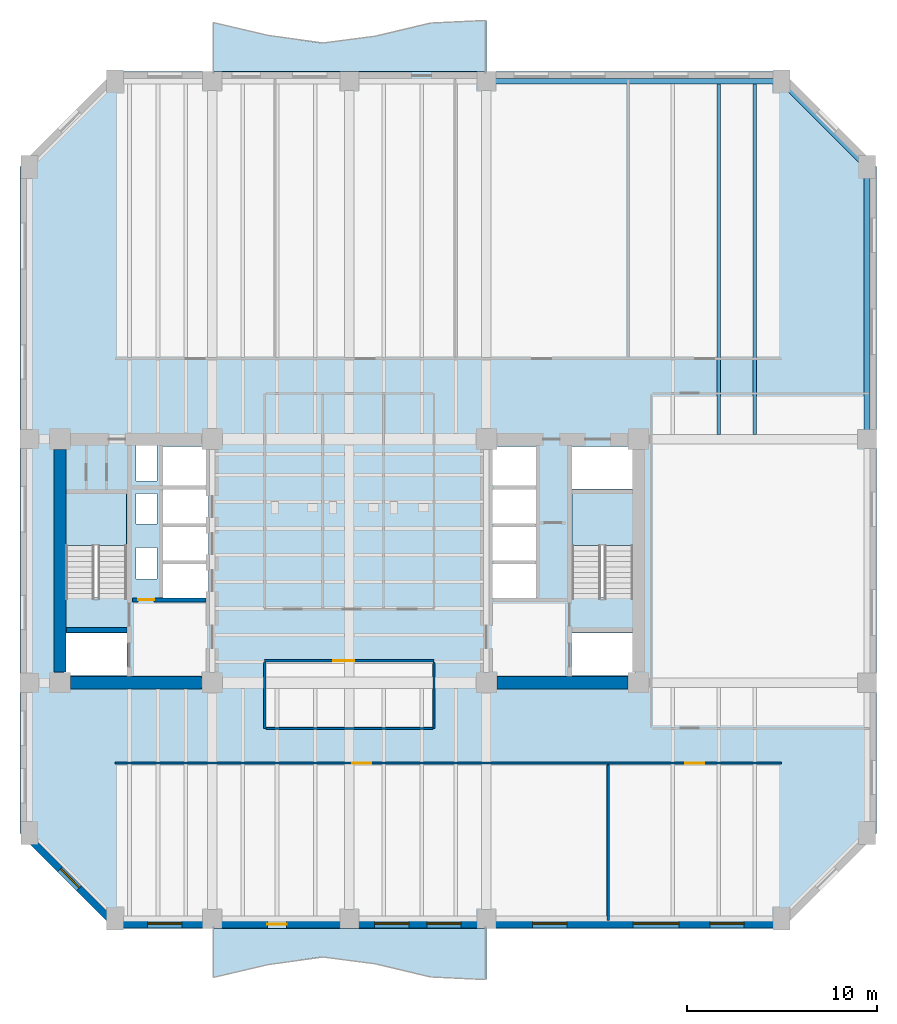
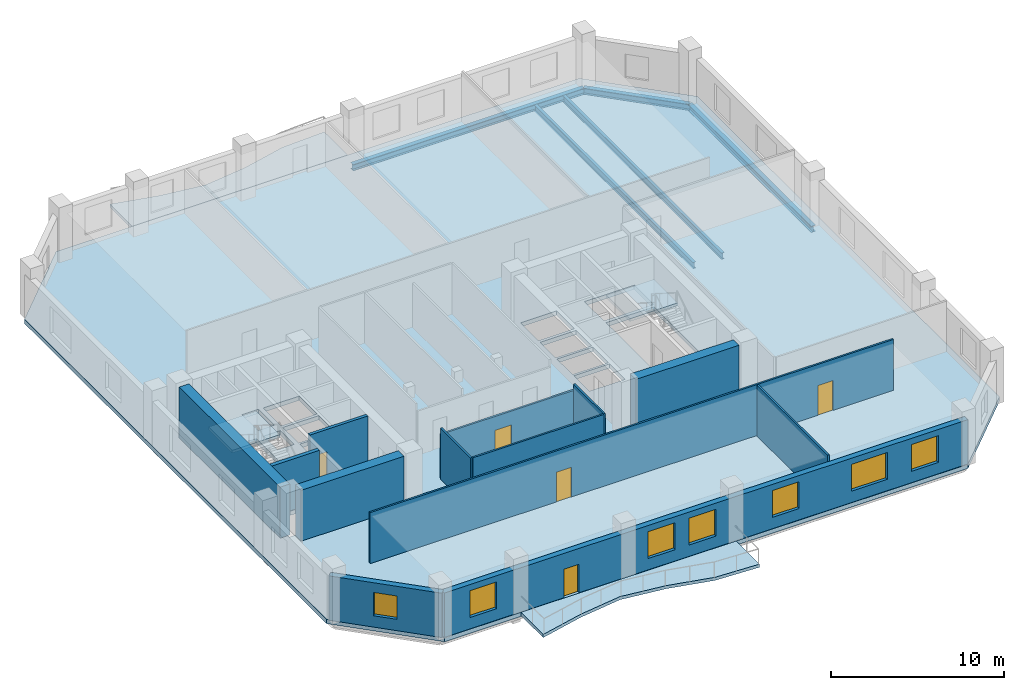
# One storey, part 2 of 8: 13 walls, 7 windows, 5 beams, 5 doors, 5 slabs, 12 openings, 2 elements without a shape of their own.
"""IFC4 building model written with IfcOpenShell, lengths in metres."""

from ifc_helpers import new_model, si_unit, direction, frame, frame_2d, origin, origin_2d, place, context, subcontext, project, spatial, polyline, rectangle, i_section, outline, extrude, material, layer, layer_set, material_profile, profile_set, type_object, element, fill, aggregate, save


model = new_model("IFC4")

# Units and contexts
model_context = context("Model", 3, precision=1e-05, world=origin(), true_north=direction((0.0, 1.0)))
body_context = subcontext(model_context, "Body", "Model", "MODEL_VIEW")
ifc_project = project(units=[si_unit("LENGTHUNIT", "METRE"), si_unit("AREAUNIT", "SQUARE_METRE"), si_unit("VOLUMEUNIT", "CUBIC_METRE"), si_unit("PLANEANGLEUNIT", "RADIAN"), si_unit("MASSUNIT", "GRAM", prefix="KILO")], contexts=[model_context])

# Site, building, storey
site_placement = place(None, origin())
site = spatial("IfcSite", under=ifc_project, at=site_placement, CompositionType="ELEMENT")
building_placement = place(site_placement, origin())
building = spatial("IfcBuilding", under=site, at=building_placement, Name="Kranthara Brick Stack", CompositionType="ELEMENT")
storey_placement = place(building_placement, frame((0.0, 0.0, 75.0)))
storey = spatial("IfcBuildingStorey", under=building, at=storey_placement, Name="L18", CompositionType="ELEMENT", Elevation=75.0)

# Beams
ifc_material_1 = material(Name="Steel S355", Category="steel")
ifc_material_profile_1 = material_profile(ifc_material_1, i_section(OverallWidth=0.18994140625, OverallDepth=0.449951171875, WebThickness=0.009521484375, FlangeThickness=0.0146484375, at=origin_2d()), Name="IPE 450")
ifc_profile_set_1 = profile_set([ifc_material_profile_1], Name="Steel S355")
beam_type_1 = type_object("IfcBeamType", Name="BM-JST-IPE450", PredefinedType="JOIST", material=ifc_profile_set_1)
for number, where, z_axis, x_axis, name in (
    (1, (47.39990234375, 33.85009765625, -0.52490234375), (0.0, 1.0, 0.0), (-1.0, 0.0, 0.0), "L18 North Wing Floor Joist 073"),
    (2, (49.300048828125, 33.85009765625, -0.52490234375), (0.0, 1.0, 0.0), (-1.0, 0.0, 0.0), "L18 North Wing Floor Joist 075"),
):
    element("IfcBeam", number, at=place(storey_placement, frame(where, z_axis=z_axis, x_axis=x_axis)), inside=storey, type_object=beam_type_1, Name=name, PredefinedType="JOIST", context=body_context, shape_type="SweptSolid", body=[
        extrude(i_section(OverallWidth=0.18994140625, OverallDepth=0.449951171875, WebThickness=0.009521484375, FlangeThickness=0.0146484375, at=origin_2d()), origin(), (0.0, 0.0, 1.0), 18.39990234375),
    ])
ifc_material_2 = material(Name="Steel S355", Category="steel")
ifc_material_profile_2 = material_profile(ifc_material_2, i_section(OverallWidth=0.300048828125, OverallDepth=0.449951171875, WebThickness=0.013916015625, FlangeThickness=0.02587890625, at=origin_2d()), Name="HEB 450")
ifc_profile_set_2 = profile_set([ifc_material_profile_2], Name="Steel S355")
beam_type_2 = type_object("IfcBeamType", Name="BM-STL-HEB450", PredefinedType="SPANDREL", material=ifc_profile_set_2)
beam_1_placement = place(storey_placement, frame((35.199951171875, 52.39990234375, -0.52490234375), z_axis=(1.0, 0.0, 0.0), x_axis=(0.0, 1.0, 0.0)))
element("IfcBeam", 3, at=beam_1_placement, inside=storey, type_object=beam_type_2, Name="L18 Perimeter Spandrel Beam 012", PredefinedType="SPANDREL", context=body_context, shape_type="SweptSolid", body=[
    extrude(i_section(OverallWidth=0.300048828125, OverallDepth=0.449951171875, WebThickness=0.013916015625, FlangeThickness=0.02587890625, at=origin_2d()), origin(), (0.0, 0.0, 1.0), 15.5),
])
beam_2_placement = place(storey_placement, frame((55.199951171875, 33.60009765625, -0.52490234375), z_axis=(0.0, 1.0, 0.0), x_axis=(-1.0, 0.0, 0.0)))
element("IfcBeam", 4, at=beam_2_placement, inside=storey, type_object=beam_type_2, Name="L18 Perimeter Spandrel Beam 018", PredefinedType="SPANDREL", context=body_context, shape_type="SweptSolid", body=[
    extrude(i_section(OverallWidth=0.300048828125, OverallDepth=0.449951171875, WebThickness=0.013916015625, FlangeThickness=0.02587890625, at=origin_2d()), origin(), (0.0, 0.0, 1.0), 14.2998046875),
])
beam_3_placement = place(storey_placement, frame((50.699951171875, 52.39990234375, -0.52490234375), z_axis=(0.707106781187, -0.707106781187, 0.0), x_axis=(0.707106781187, 0.707106781187, 0.0)))
element("IfcBeam", 5, at=beam_3_placement, inside=storey, type_object=beam_type_2, Name="L18 Chamfer Corner Spandrel 022", PredefinedType="SPANDREL", context=body_context, shape_type="SweptSolid", body=[
    extrude(i_section(OverallWidth=0.300048828125, OverallDepth=0.449951171875, WebThickness=0.013916015625, FlangeThickness=0.02587890625, at=origin_2d()), origin(), (0.0, 0.0, 1.0), 6.364013671875),
])

# Slabs
ifc_material_3 = material(Name="Concrete C45/55", Category="concrete")
ifc_layer_1 = layer(ifc_material_3, 0.219970703125)
ifc_layer_set_1 = layer_set([ifc_layer_1], Name="Concrete C45/55")
slab_type_1 = type_object("IfcSlabType", Name="SLB-BALC-220", PredefinedType="FLOOR", material=ifc_layer_set_1)
slab_1_placement = place(storey_placement, frame((0.0, 0.0, -0.219970703125)))
element("IfcSlab", 6, at=slab_1_placement, inside=storey, type_object=slab_type_1, Name="L18 South Rippling Balcony Slab", PredefinedType="FLOOR", context=body_context, shape_type="SweptSolid", body=[
    extrude(outline(polyline([(20.800048828125, 7.89990234375), (35.199951171875, 7.89990234375), (35.199951171875, 5.199951171875), (32.320068359375, 5.334228515625), (29.43994140625, 6.02294921875), (26.56005859375, 6.399658203125), (23.679931640625, 5.990966796875), (20.800048828125, 5.310546875), (20.800048828125, 7.89990234375)])), origin(), (0.0, 0.0, 1.0), 0.219970703125),
])
slab_2_placement = place(storey_placement, frame((0.0, 0.0, -0.219970703125)))
element("IfcSlab", 7, at=slab_2_placement, inside=storey, type_object=slab_type_1, Name="L18 North Rippling Balcony Slab", PredefinedType="FLOOR", context=body_context, shape_type="SweptSolid", body=[
    extrude(outline(polyline([(35.199951171875, 52.89990234375), (20.800048828125, 52.89990234375), (20.800048828125, 55.489501953125), (23.679931640625, 54.80908203125), (26.56005859375, 54.400146484375), (29.43994140625, 54.777099609375), (32.320068359375, 55.4658203125), (35.199951171875, 55.60009765625), (35.199951171875, 52.89990234375)])), origin(), (0.0, 0.0, 1.0), 0.219970703125),
])

# Stair, slab
ifc_material_4 = material(Name="Concrete C45/55", Category="concrete")
stair_type = type_object("IfcStairType", Name="ST-CORE-22R", PredefinedType="HALF_TURN_STAIR", material=ifc_material_4)
stair_1_placement = place(storey_placement, origin())
stair_1 = element("IfcStair", 8, at=stair_1_placement, inside=storey, type_object=stair_type, Name="L18 West Core Protected Exit Stair ST01", PredefinedType="HALF_TURN_STAIR")
ifc_material_5 = material(Name="Concrete C45/55", Category="concrete")
ifc_layer_2 = layer(ifc_material_5, 0.199951171875)
ifc_layer_set_2 = layer_set([ifc_layer_2], Name="Concrete C45/55")
slab_type_2 = type_object("IfcSlabType", Name="SLB-LANDING-200", PredefinedType="LANDING", material=ifc_layer_set_2)
slab_3_placement = place(storey_placement, frame((0.0, 0.0, 1.75)))
slab_3 = element("IfcSlab", 9, at=slab_3_placement, type_object=slab_type_2, Name="ST01 landing 1", PredefinedType="LANDING", context=body_context, shape_type="SweptSolid", body=[
    extrude(outline(polyline([(16.300048828125, 28.0), (16.300048828125, 30.75), (13.10009765625, 30.75), (13.10009765625, 28.0), (16.300048828125, 28.0)])), origin(), (0.0, 0.0, 1.0), 0.199951171875),
])
aggregate(stair_1, [slab_3])

stair_2_placement = place(storey_placement, origin())
stair_2 = element("IfcStair", 10, at=stair_2_placement, inside=storey, type_object=stair_type, Name="L18 East Core Protected Exit Stair ST02", PredefinedType="HALF_TURN_STAIR")
slab_4_placement = place(storey_placement, frame((0.0, 0.0, 1.75)))
slab_4 = element("IfcSlab", 11, at=slab_4_placement, type_object=slab_type_2, Name="ST02 landing 1", PredefinedType="LANDING", context=body_context, shape_type="SweptSolid", body=[
    extrude(outline(polyline([(42.89990234375, 28.0), (42.89990234375, 30.75), (39.699951171875, 30.75), (39.699951171875, 28.0), (42.89990234375, 28.0)])), origin(), (0.0, 0.0, 1.0), 0.199951171875),
])
aggregate(stair_2, [slab_4])

# Slab
ifc_material_6 = material(Name="Post-tensioned concrete C45/55", Category="concrete")
ifc_layer_3 = layer(ifc_material_6, 0.300048828125)
ifc_layer_set_3 = layer_set([ifc_layer_3], Name="Post-tensioned concrete C45/55")
slab_type_3 = type_object("IfcSlabType", Name="SLB-TWR-300", PredefinedType="FLOOR", material=ifc_layer_set_3)
slab_5_placement = place(storey_placement, frame((0.0, 0.0, -0.300048828125)))
element("IfcSlab", 12, at=slab_5_placement, inside=storey, type_object=slab_type_3, Name="L18 Structural Floor Plate", PredefinedType="FLOOR", context=body_context, shape_type="SweptSolid", body=[
    extrude(outline(polyline([(15.699951171875, 7.89990234375), (50.699951171875, 7.89990234375), (55.699951171875, 12.89990234375), (55.699951171875, 47.89990234375), (50.699951171875, 52.89990234375), (15.699951171875, 52.89990234375), (10.699951171875, 47.89990234375), (10.699951171875, 12.89990234375), (15.699951171875, 7.89990234375)]), holes=[polyline([(13.10009765625, 25.280029296875), (16.300048828125, 25.280029296875), (16.300048828125, 30.75), (13.10009765625, 30.75), (13.10009765625, 25.280029296875)]), polyline([(39.699951171875, 25.280029296875), (42.89990234375, 25.280029296875), (42.89990234375, 30.75), (39.699951171875, 30.75), (39.699951171875, 25.280029296875)]), polyline([(13.0, 21.179931640625), (16.320068359375, 21.179931640625), (16.320068359375, 23.419921875), (13.0, 23.419921875), (13.0, 21.179931640625)]), polyline([(39.679931640625, 21.179931640625), (43.0, 21.179931640625), (43.0, 23.419921875), (39.679931640625, 23.419921875), (39.679931640625, 21.179931640625)]), polyline([(39.679931640625, 30.97998046875), (43.0, 30.97998046875), (43.0, 33.219970703125), (39.679931640625, 33.219970703125), (39.679931640625, 30.97998046875)]), polyline([(18.199951171875, 25.25), (20.60009765625, 25.25), (20.60009765625, 27.050048828125), (18.199951171875, 27.050048828125), (18.199951171875, 25.25)]), polyline([(18.199951171875, 27.199951171875), (20.60009765625, 27.199951171875), (20.60009765625, 29.0), (18.199951171875, 29.0), (18.199951171875, 27.199951171875)]), polyline([(18.199951171875, 29.14990234375), (20.60009765625, 29.14990234375), (20.60009765625, 30.949951171875), (18.199951171875, 30.949951171875), (18.199951171875, 29.14990234375)]), polyline([(35.39990234375, 25.25), (37.800048828125, 25.25), (37.800048828125, 27.050048828125), (35.39990234375, 27.050048828125), (35.39990234375, 25.25)]), polyline([(35.39990234375, 27.199951171875), (37.800048828125, 27.199951171875), (37.800048828125, 29.0), (35.39990234375, 29.0), (35.39990234375, 27.199951171875)]), polyline([(35.39990234375, 29.14990234375), (37.800048828125, 29.14990234375), (37.800048828125, 30.949951171875), (35.39990234375, 30.949951171875), (35.39990234375, 29.14990234375)]), polyline([(18.199951171875, 31.14990234375), (20.60009765625, 31.14990234375), (20.60009765625, 33.219970703125), (18.199951171875, 33.219970703125), (18.199951171875, 31.14990234375)]), polyline([(35.39990234375, 31.14990234375), (37.800048828125, 31.14990234375), (37.800048828125, 33.219970703125), (35.39990234375, 33.219970703125), (35.39990234375, 31.14990234375)]), polyline([(16.800048828125, 26.25), (17.89990234375, 26.25), (17.89990234375, 27.89990234375), (16.800048828125, 27.89990234375), (16.800048828125, 26.25)]), polyline([(16.800048828125, 29.14990234375), (17.89990234375, 29.14990234375), (17.89990234375, 30.75), (16.800048828125, 30.75), (16.800048828125, 29.14990234375)]), polyline([(16.800048828125, 31.39990234375), (17.89990234375, 31.39990234375), (17.89990234375, 33.25), (16.800048828125, 33.25), (16.800048828125, 31.39990234375)])]), origin(), (0.0, 0.0, 1.0), 0.300048828125),
])

# Wall, openings, door, windows
ifc_material_7 = material(Name="Kiln-fired clay brick masonry M15", Category="masonry")
ifc_layer_4 = layer(ifc_material_7, 0.3798828125)
ifc_layer_set_4 = layer_set([ifc_layer_4], Name="Kiln-fired clay brick masonry M15")
wall_type_1 = type_object("IfcWallType", Name="WL-BRK-PIER-380", PredefinedType="STANDARD", material=ifc_layer_set_4)
wall_1_placement = place(storey_placement, frame((50.699951171875, 8.110107421875, 0.0), z_axis=(0.0, 0.0, 1.0), x_axis=(-1.0, 0.0, 0.0)))
wall_1 = element("IfcWall", 13, at=wall_1_placement, inside=storey, type_object=wall_type_1, Name="L18 Exterior Brick Facade Wall SOUTH 1", PredefinedType="STANDARD", context=body_context, shape_type="SweptSolid", body=[
    extrude(rectangle(XDim=35.0, YDim=0.3798828125, at=frame_2d((17.5, 0.0))), origin(), (0.0, 0.0, 1.0), 3.135009765625),
])
opening_1_placement = place(wall_1_placement, frame((26.0, 0.0, 0.0)))
opening_1 = element("IfcOpeningElement", 14, at=opening_1_placement, cuts=wall_1, Name="Opening D03", PredefinedType="OPENING", context=body_context, shape_type="SweptSolid", body=[
    extrude(rectangle(XDim=1.0, YDim=2.02001953125, at=frame_2d((0.5, 1.010009765625))), frame((0.0, 0.199951171875, 0.0), z_axis=(0.0, -1.0, 0.0), x_axis=(1.0, 0.0, 0.0)), (0.0, 0.0, 1.0), 0.39990234375),
])
opening_2_placement = place(wall_1_placement, frame((1.965087890625, 0.0, 0.800048828125)))
opening_2 = element("IfcOpeningElement", 15, at=opening_2_placement, cuts=wall_1, Name="Opening WN01", PredefinedType="OPENING", context=body_context, shape_type="SweptSolid", body=[
    extrude(rectangle(XDim=1.800048828125, YDim=1.89990234375, at=frame_2d((0.89990234375, 0.949951171875))), frame((0.0, 0.199951171875, 0.0), z_axis=(0.0, -1.0, 0.0), x_axis=(1.0, 0.0, 0.0)), (0.0, 0.0, 1.0), 0.39990234375),
])
opening_3_placement = place(wall_1_placement, frame((5.385009765625, 0.0, 0.800048828125)))
opening_3 = element("IfcOpeningElement", 16, at=opening_3_placement, cuts=wall_1, Name="Opening WN02", PredefinedType="OPENING", context=body_context, shape_type="SweptSolid", body=[
    extrude(rectangle(XDim=2.39990234375, YDim=1.89990234375, at=frame_2d((1.199951171875, 0.949951171875))), frame((0.0, 0.199951171875, 0.0), z_axis=(0.0, -1.0, 0.0), x_axis=(1.0, 0.0, 0.0)), (0.0, 0.0, 1.0), 0.39990234375),
])
opening_4_placement = place(wall_1_placement, frame((11.27490234375, 0.0, 0.800048828125)))
opening_4 = element("IfcOpeningElement", 17, at=opening_4_placement, cuts=wall_1, Name="Opening WN01", PredefinedType="OPENING", context=body_context, shape_type="SweptSolid", body=[
    extrude(rectangle(XDim=1.800048828125, YDim=1.89990234375, at=frame_2d((0.89990234375, 0.949951171875))), frame((0.0, 0.199951171875, 0.0), z_axis=(0.0, -1.0, 0.0), x_axis=(1.0, 0.0, 0.0)), (0.0, 0.0, 1.0), 0.39990234375),
])
opening_5_placement = place(wall_1_placement, frame((16.83203125, 0.0, 0.800048828125)))
opening_5 = element("IfcOpeningElement", 18, at=opening_5_placement, cuts=wall_1, Name="Opening WN01", PredefinedType="OPENING", context=body_context, shape_type="SweptSolid", body=[
    extrude(rectangle(XDim=1.800048828125, YDim=1.89990234375, at=frame_2d((0.89990234375, 0.949951171875))), frame((0.0, 0.199951171875, 0.0), z_axis=(0.0, -1.0, 0.0), x_axis=(1.0, 0.0, 0.0)), (0.0, 0.0, 1.0), 0.39990234375),
])
opening_6_placement = place(wall_1_placement, frame((19.568115234375, 0.0, 0.800048828125)))
opening_6 = element("IfcOpeningElement", 19, at=opening_6_placement, cuts=wall_1, Name="Opening WN01", PredefinedType="OPENING", context=body_context, shape_type="SweptSolid", body=[
    extrude(rectangle(XDim=1.800048828125, YDim=1.89990234375, at=frame_2d((0.89990234375, 0.949951171875))), frame((0.0, 0.199951171875, 0.0), z_axis=(0.0, -1.0, 0.0), x_axis=(1.0, 0.0, 0.0)), (0.0, 0.0, 1.0), 0.39990234375),
])
opening_7_placement = place(wall_1_placement, frame((31.5, 0.0, 0.800048828125)))
opening_7 = element("IfcOpeningElement", 20, at=opening_7_placement, cuts=wall_1, Name="Opening WN01", PredefinedType="OPENING", context=body_context, shape_type="SweptSolid", body=[
    extrude(rectangle(XDim=1.800048828125, YDim=1.89990234375, at=frame_2d((0.89990234375, 0.949951171875))), frame((0.0, 0.199951171875, 0.0), z_axis=(0.0, -1.0, 0.0), x_axis=(1.0, 0.0, 0.0)), (0.0, 0.0, 1.0), 0.39990234375),
])
ifc_material_8 = material(Name="Bronze anodised aluminium and laminated glass", Category="aluminium")
door_type_1 = type_object("IfcDoorType", Name="DR-BALC-1000", OperationType="NOTDEFINED", PredefinedType="DOOR", material=ifc_material_8)
door_1_placement = place(opening_1_placement, origin())
door_1 = element("IfcDoor", 21, at=door_1_placement, inside=storey, type_object=door_type_1, Name="L18 South Balcony Terrace Door", OperationType="SINGLE_SWING_LEFT", OverallHeight=2.02001953125, OverallWidth=1.0, PredefinedType="DOOR", context=body_context, shape_type="SweptSolid", body=[
    extrude(rectangle(XDim=1.0, YDim=2.02001953125, at=frame_2d((0.5, 1.010009765625))), frame((0.0, 0.02490234375, 0.0), z_axis=(0.0, -1.0, 0.0), x_axis=(1.0, 0.0, 0.0)), (0.0, 0.0, 1.0), 0.050048828125),
])
fill(opening_1, door_1)
ifc_material_9 = material(Name="Double-glazed low-E solar control glass", Category="glass")
window_type_1 = type_object("IfcWindowType", Name="WN-OFF-1800x2000", PartitioningType="SINGLE_PANEL", PredefinedType="WINDOW", material=ifc_material_9)
window_1_placement = place(opening_2_placement, origin())
window_1 = element("IfcWindow", 22, at=window_1_placement, inside=storey, type_object=window_type_1, Name="L18 South Deep-Set Brick Window 01", OverallHeight=1.89990234375, OverallWidth=1.800048828125, PartitioningType="SINGLE_PANEL", PredefinedType="WINDOW", context=body_context, shape_type="SweptSolid", body=[
    extrude(rectangle(XDim=1.800048828125, YDim=1.89990234375, at=frame_2d((0.89990234375, 0.949951171875))), frame((0.0, -0.010009765625, 0.0), z_axis=(0.0, -1.0, 0.0), x_axis=(1.0, 0.0, 0.0)), (0.0, 0.0, 1.0), 0.06005859375),
])
fill(opening_2, window_1)
window_2_placement = place(opening_4_placement, origin())
window_2 = element("IfcWindow", 23, at=window_2_placement, inside=storey, type_object=window_type_1, Name="L18 South Deep-Set Brick Window 03", OverallHeight=1.89990234375, OverallWidth=1.800048828125, PartitioningType="SINGLE_PANEL", PredefinedType="WINDOW", context=body_context, shape_type="SweptSolid", body=[
    extrude(rectangle(XDim=1.800048828125, YDim=1.89990234375, at=frame_2d((0.89990234375, 0.949951171875))), frame((0.0, -0.010009765625, 0.0), z_axis=(0.0, -1.0, 0.0), x_axis=(1.0, 0.0, 0.0)), (0.0, 0.0, 1.0), 0.06005859375),
])
fill(opening_4, window_2)
window_3_placement = place(opening_5_placement, origin())
window_3 = element("IfcWindow", 24, at=window_3_placement, inside=storey, type_object=window_type_1, Name="L18 South Deep-Set Brick Window 04", OverallHeight=1.89990234375, OverallWidth=1.800048828125, PartitioningType="SINGLE_PANEL", PredefinedType="WINDOW", context=body_context, shape_type="SweptSolid", body=[
    extrude(rectangle(XDim=1.800048828125, YDim=1.89990234375, at=frame_2d((0.89990234375, 0.949951171875))), frame((0.0, -0.010009765625, 0.0), z_axis=(0.0, -1.0, 0.0), x_axis=(1.0, 0.0, 0.0)), (0.0, 0.0, 1.0), 0.06005859375),
])
fill(opening_5, window_3)
window_4_placement = place(opening_6_placement, origin())
window_4 = element("IfcWindow", 25, at=window_4_placement, inside=storey, type_object=window_type_1, Name="L18 South Deep-Set Brick Window 05", OverallHeight=1.89990234375, OverallWidth=1.800048828125, PartitioningType="SINGLE_PANEL", PredefinedType="WINDOW", context=body_context, shape_type="SweptSolid", body=[
    extrude(rectangle(XDim=1.800048828125, YDim=1.89990234375, at=frame_2d((0.89990234375, 0.949951171875))), frame((0.0, -0.010009765625, 0.0), z_axis=(0.0, -1.0, 0.0), x_axis=(1.0, 0.0, 0.0)), (0.0, 0.0, 1.0), 0.06005859375),
])
fill(opening_6, window_4)
window_5_placement = place(opening_7_placement, origin())
window_5 = element("IfcWindow", 26, at=window_5_placement, inside=storey, type_object=window_type_1, Name="L18 South Deep-Set Brick Window 06", OverallHeight=1.89990234375, OverallWidth=1.800048828125, PartitioningType="SINGLE_PANEL", PredefinedType="WINDOW", context=body_context, shape_type="SweptSolid", body=[
    extrude(rectangle(XDim=1.800048828125, YDim=1.89990234375, at=frame_2d((0.89990234375, 0.949951171875))), frame((0.0, -0.010009765625, 0.0), z_axis=(0.0, -1.0, 0.0), x_axis=(1.0, 0.0, 0.0)), (0.0, 0.0, 1.0), 0.06005859375),
])
fill(opening_7, window_5)
ifc_material_10 = material(Name="Double-glazed low-E solar control glass", Category="glass")
window_type_2 = type_object("IfcWindowType", Name="WN-OFF-2400x2000", PartitioningType="DOUBLE_PANEL_VERTICAL", PredefinedType="WINDOW", material=ifc_material_10)
window_6_placement = place(opening_3_placement, origin())
window_6 = element("IfcWindow", 27, at=window_6_placement, inside=storey, type_object=window_type_2, Name="L18 South Deep-Set Brick Window 02", OverallHeight=1.89990234375, OverallWidth=2.39990234375, PartitioningType="SINGLE_PANEL", PredefinedType="WINDOW", context=body_context, shape_type="SweptSolid", body=[
    extrude(rectangle(XDim=2.39990234375, YDim=1.89990234375, at=frame_2d((1.199951171875, 0.949951171875))), frame((0.0, -0.010009765625, 0.0), z_axis=(0.0, -1.0, 0.0), x_axis=(1.0, 0.0, 0.0)), (0.0, 0.0, 1.0), 0.06005859375),
])
fill(opening_3, window_6)

# Wall, opening, window
wall_2_placement = place(storey_placement, frame((15.699951171875, 8.110107421875, 0.0), z_axis=(0.0, 0.0, 1.0), x_axis=(-0.707124801467, 0.707088760447, 0.0)))
wall_2 = element("IfcWall", 28, at=wall_2_placement, inside=storey, type_object=wall_type_1, Name="L18 Exterior Brick Facade Wall SW 1", PredefinedType="STANDARD", context=body_context, shape_type="SweptSolid", body=[
    extrude(rectangle(XDim=6.77392578125, YDim=0.3798828125, at=frame_2d((3.386962890625, 0.0))), origin(), (0.0, 0.0, 1.0), 3.135009765625),
])
opening_8_placement = place(wall_2_placement, frame((2.68701171875, 0.0, 0.800048828125)))
opening_8 = element("IfcOpeningElement", 29, at=opening_8_placement, cuts=wall_2, Name="Opening WN10", PredefinedType="OPENING", context=body_context, shape_type="SweptSolid", body=[
    extrude(rectangle(XDim=1.39990234375, YDim=1.64990234375, at=frame_2d((0.699951171875, 0.824951171875))), frame((0.0, 0.199951171875, 0.0), z_axis=(0.0, -1.0, 0.0), x_axis=(1.0, 0.0, 0.0)), (0.0, 0.0, 1.0), 0.39990234375),
])
ifc_material_11 = material(Name="Double-glazed low-E solar control glass", Category="glass")
window_type_3 = type_object("IfcWindowType", Name="WN-CHM-1400x1750", PartitioningType="SINGLE_PANEL", PredefinedType="WINDOW", material=ifc_material_11)
window_7_placement = place(opening_8_placement, origin())
window_7 = element("IfcWindow", 30, at=window_7_placement, inside=storey, type_object=window_type_3, Name="L18 SW Chamfer Corner Window", OverallHeight=1.64990234375, OverallWidth=1.39990234375, PartitioningType="SINGLE_PANEL", PredefinedType="WINDOW", context=body_context, shape_type="SweptSolid", body=[
    extrude(rectangle(XDim=1.39990234375, YDim=1.64990234375, at=frame_2d((0.699951171875, 0.824951171875))), frame((0.0, -0.010009765625, 0.0), z_axis=(0.0, -1.0, 0.0), x_axis=(1.0, 0.0, 0.0)), (0.0, 0.0, 1.0), 0.06005859375),
])
fill(opening_8, window_7)

# Walls
ifc_material_12 = material(Name="Concrete C50/60", Category="concrete")
ifc_layer_5 = layer(ifc_material_12, 0.25)
ifc_layer_set_5 = layer_set([ifc_layer_5], Name="Concrete C50/60")
wall_type_2 = type_object("IfcWallType", Name="WL-CORE-250", PredefinedType="SHEAR", material=ifc_layer_set_5)
wall_3_placement = place(storey_placement, frame((13.135009765625, 23.570068359375, 0.0), z_axis=(0.0, 0.0, 1.0), x_axis=(1.0, 0.0, 0.0)))
element("IfcWall", 31, at=wall_3_placement, inside=storey, type_object=wall_type_2, Name="L18 West Stairwell Bearing Wall WFF", PredefinedType="SHEAR", context=body_context, shape_type="SweptSolid", body=[
    extrude(rectangle(XDim=3.175048828125, YDim=0.25, at=frame_2d((1.58740234375, 0.0))), origin(), (0.0, 0.0, 1.0), 3.60009765625),
])
ifc_material_13 = material(Name="Concrete C60/75", Category="concrete")
ifc_layer_6 = layer(ifc_material_13, 0.64990234375)
ifc_layer_set_6 = layer_set([ifc_layer_6], Name="Concrete C60/75")
wall_type_3 = type_object("IfcWallType", Name="WL-CORE-650", PredefinedType="SHEAR", material=ifc_layer_set_6)
wall_4_placement = place(storey_placement, frame((12.800048828125, 21.35498046875, 0.0), z_axis=(0.0, 0.0, 1.0), x_axis=(0.0, 1.0, 0.0)))
element("IfcWall", 32, at=wall_4_placement, inside=storey, type_object=wall_type_3, Name="L18 West Core Shear Wall West", PredefinedType="SHEAR", context=body_context, shape_type="SweptSolid", body=[
    extrude(rectangle(XDim=11.68994140625, YDim=0.64990234375, at=frame_2d((5.844970703125, 0.0))), origin(), (0.0, 0.0, 1.0), 3.60009765625),
])
for number, where, z_axis, x_axis, name in (
    (33, (13.35498046875, 20.800048828125, 0.0), (0.0, 0.0, 1.0), (1.0, 0.0, 0.0), "L18 West Core Shear Wall South"),
    (34, (35.7548828125, 20.800048828125, 0.0), (0.0, 0.0, 1.0), (1.0, 0.0, 0.0), "L18 East Core Shear Wall South"),
):
    element("IfcWall", number, at=place(storey_placement, frame(where, z_axis=z_axis, x_axis=x_axis)), inside=storey, type_object=wall_type_3, Name=name, PredefinedType="SHEAR", context=body_context, shape_type="SweptSolid", body=[
        extrude(rectangle(XDim=6.89013671875, YDim=0.64990234375, at=frame_2d((3.445068359375, 0.0))), origin(), (0.0, 0.0, 1.0), 3.60009765625),
    ])

# Wall, opening, door
ifc_material_14 = material(Name="Acoustic gypsum plasterboard partition", Category="other")
ifc_layer_7 = layer(ifc_material_14, 0.1201171875)
ifc_layer_set_7 = layer_set([ifc_layer_7], Name="Acoustic gypsum plasterboard partition")
wall_type_4 = type_object("IfcWallType", Name="WL-PART-120", PredefinedType="PARTITIONING", material=ifc_layer_set_7)
wall_5_placement = place(storey_placement, frame((23.550048828125, 21.949951171875, 0.0), z_axis=(0.0, 0.0, 1.0), x_axis=(1.0, 0.0, 0.0)))
wall_5 = element("IfcWall", 35, at=wall_5_placement, inside=storey, type_object=wall_type_4, Name="L18 Interior Partition 010", PredefinedType="PARTITIONING", context=body_context, shape_type="SweptSolid", body=[
    extrude(rectangle(XDim=8.89990234375, YDim=0.1201171875, at=frame_2d((4.449951171875, 0.0))), origin(), (0.0, 0.0, 1.0), 3.135009765625),
])
opening_9_placement = place(wall_5_placement, frame((3.60009765625, 0.0, 0.0)))
opening_9 = element("IfcOpeningElement", 36, at=opening_9_placement, cuts=wall_5, Name="Opening D11", PredefinedType="OPENING", context=body_context, shape_type="SweptSolid", body=[
    extrude(rectangle(XDim=1.10009765625, YDim=2.14990234375, at=frame_2d((0.550048828125, 1.074951171875))), frame((0.0, 0.070068359375, 0.0), z_axis=(0.0, -1.0, 0.0), x_axis=(1.0, 0.0, 0.0)), (0.0, 0.0, 1.0), 0.14013671875),
])
ifc_material_15 = material(Name="Solid-core hardwood timber leaf in steel frame", Category="steel")
door_type_2 = type_object("IfcDoorType", Name="DR-INT-1100", OperationType="NOTDEFINED", PredefinedType="DOOR", material=ifc_material_15)
door_2_placement = place(opening_9_placement, origin())
door_2 = element("IfcDoor", 37, at=door_2_placement, inside=storey, type_object=door_type_2, Name="L18 Internal Briefing Room 07", OperationType="SINGLE_SWING_LEFT", OverallHeight=2.14990234375, OverallWidth=1.10009765625, PredefinedType="DOOR", context=body_context, shape_type="SweptSolid", body=[
    extrude(rectangle(XDim=1.10009765625, YDim=2.14990234375, at=frame_2d((0.550048828125, 1.074951171875))), frame((0.0, 0.02490234375, 0.0), z_axis=(0.0, -1.0, 0.0), x_axis=(1.0, 0.0, 0.0)), (0.0, 0.0, 1.0), 0.050048828125),
])
fill(opening_9, door_2)

# Walls
for number, where, z_axis, x_axis, name in (
    (38, (23.550048828125, 18.39990234375, 0.0), (0.0, 0.0, 1.0), (0.0, 1.0, 0.0), "L18 Interior Partition 011"),
    (39, (32.449951171875, 18.39990234375, 0.0), (0.0, 0.0, 1.0), (0.0, 1.0, 0.0), "L18 Interior Partition 012"),
):
    element("IfcWall", number, at=place(storey_placement, frame(where, z_axis=z_axis, x_axis=x_axis)), inside=storey, type_object=wall_type_4, Name=name, PredefinedType="PARTITIONING", context=body_context, shape_type="SweptSolid", body=[
        extrude(rectangle(XDim=3.485107421875, YDim=0.1201171875, at=frame_2d((1.74267578125, 0.0))), origin(), (0.0, 0.0, 1.0), 3.60009765625),
    ])
wall_6_placement = place(storey_placement, frame((23.614990234375, 18.39990234375, 0.0), z_axis=(0.0, 0.0, 1.0), x_axis=(1.0, 0.0, 0.0)))
element("IfcWall", 40, at=wall_6_placement, inside=storey, type_object=wall_type_4, Name="L18 Interior Partition 013", PredefinedType="PARTITIONING", context=body_context, shape_type="SweptSolid", body=[
    extrude(rectangle(XDim=8.77001953125, YDim=0.1201171875, at=frame_2d((4.385009765625, 0.0))), origin(), (0.0, 0.0, 1.0), 3.60009765625),
])

# Wall, openings, doors
wall_7_placement = place(storey_placement, frame((15.699951171875, 16.580078125, 0.0), z_axis=(0.0, 0.0, 1.0), x_axis=(1.0, 0.0, 0.0)))
wall_7 = element("IfcWall", 41, at=wall_7_placement, inside=storey, type_object=wall_type_4, Name="L18 Interior Partition 014", PredefinedType="PARTITIONING", context=body_context, shape_type="SweptSolid", body=[
    extrude(rectangle(XDim=35.0, YDim=0.1201171875, at=frame_2d((17.5, 0.0))), origin(), (0.0, 0.0, 1.0), 3.60009765625),
])
opening_10_placement = place(wall_7_placement, frame((12.449951171875, 0.0, 0.0)))
opening_10 = element("IfcOpeningElement", 42, at=opening_10_placement, cuts=wall_7, Name="Opening D13", PredefinedType="OPENING", context=body_context, shape_type="SweptSolid", body=[
    extrude(rectangle(XDim=1.0, YDim=2.10009765625, at=frame_2d((0.5, 1.050048828125))), frame((0.0, 0.070068359375, 0.0), z_axis=(0.0, -1.0, 0.0), x_axis=(1.0, 0.0, 0.0)), (0.0, 0.0, 1.0), 0.14013671875),
])
opening_11_placement = place(wall_7_placement, frame((29.949951171875, 0.0, 0.0)))
opening_11 = element("IfcOpeningElement", 43, at=opening_11_placement, cuts=wall_7, Name="Opening D13", PredefinedType="OPENING", context=body_context, shape_type="SweptSolid", body=[
    extrude(rectangle(XDim=1.0, YDim=2.10009765625, at=frame_2d((0.5, 1.050048828125))), frame((0.0, 0.070068359375, 0.0), z_axis=(0.0, -1.0, 0.0), x_axis=(1.0, 0.0, 0.0)), (0.0, 0.0, 1.0), 0.14013671875),
])
ifc_material_16 = material(Name="Solid-core hardwood timber leaf in steel frame", Category="steel")
door_type_3 = type_object("IfcDoorType", Name="DR-INT-1000", OperationType="NOTDEFINED", PredefinedType="DOOR", material=ifc_material_16)
door_3_placement = place(opening_10_placement, origin())
door_3 = element("IfcDoor", 44, at=door_3_placement, inside=storey, type_object=door_type_3, Name="L18 Open Plan Workspace 08", OperationType="SINGLE_SWING_RIGHT", OverallHeight=2.10009765625, OverallWidth=1.0, PredefinedType="DOOR", context=body_context, shape_type="SweptSolid", body=[
    extrude(rectangle(XDim=1.0, YDim=2.10009765625, at=frame_2d((0.5, 1.050048828125))), frame((0.0, 0.02490234375, 0.0), z_axis=(0.0, -1.0, 0.0), x_axis=(1.0, 0.0, 0.0)), (0.0, 0.0, 1.0), 0.050048828125),
])
fill(opening_10, door_3)
door_4_placement = place(opening_11_placement, origin())
door_4 = element("IfcDoor", 45, at=door_4_placement, inside=storey, type_object=door_type_3, Name="L18 Staff Pantry 09", OperationType="SINGLE_SWING_LEFT", OverallHeight=2.10009765625, OverallWidth=1.0, PredefinedType="DOOR", context=body_context, shape_type="SweptSolid", body=[
    extrude(rectangle(XDim=1.0, YDim=2.10009765625, at=frame_2d((0.5, 1.050048828125))), frame((0.0, 0.02490234375, 0.0), z_axis=(0.0, -1.0, 0.0), x_axis=(1.0, 0.0, 0.0)), (0.0, 0.0, 1.0), 0.050048828125),
])
fill(opening_11, door_4)

# Wall
wall_8_placement = place(storey_placement, frame((41.60009765625, 8.304931640625, 0.0), z_axis=(0.0, 0.0, 1.0), x_axis=(0.0, 1.0, 0.0)))
element("IfcWall", 46, at=wall_8_placement, inside=storey, type_object=wall_type_4, Name="L18 Interior Partition 015", PredefinedType="PARTITIONING", context=body_context, shape_type="SweptSolid", body=[
    extrude(rectangle(XDim=8.175048828125, YDim=0.1201171875, at=frame_2d((4.08740234375, 0.0))), origin(), (0.0, 0.0, 1.0), 3.60009765625),
])

# Wall, opening, door
ifc_material_17 = material(Name="Concrete C40/50", Category="concrete")
ifc_layer_8 = layer(ifc_material_17, 0.199951171875)
ifc_layer_set_8 = layer_set([ifc_layer_8], Name="Concrete C40/50")
wall_type_5 = type_object("IfcWallType", Name="WL-PART-200", PredefinedType="SOLIDWALL", material=ifc_layer_set_8)
wall_9_placement = place(storey_placement, frame((16.60009765625, 25.14990234375, 0.0), z_axis=(0.0, 0.0, 1.0), x_axis=(1.0, 0.0, 0.0)))
wall_9 = element("IfcWall", 47, at=wall_9_placement, inside=storey, type_object=wall_type_5, Name="L18 West Core Cross Wall WFL", PredefinedType="SOLIDWALL", context=body_context, shape_type="SweptSolid", body=[
    extrude(rectangle(XDim=3.864990234375, YDim=0.199951171875, at=frame_2d((1.9326171875, 0.0))), origin(), (0.0, 0.0, 1.0), 3.60009765625),
])
opening_12_placement = place(wall_9_placement, frame((0.300048828125, 0.0, 0.0)))
opening_12 = element("IfcOpeningElement", 48, at=opening_12_placement, cuts=wall_9, Name="Opening D10", PredefinedType="OPENING", context=body_context, shape_type="SweptSolid", body=[
    extrude(rectangle(XDim=0.85009765625, YDim=2.02001953125, at=frame_2d((0.425048828125, 1.010009765625))), frame((0.0, 0.10986328125, 0.0), z_axis=(0.0, -1.0, 0.0), x_axis=(1.0, 0.0, 0.0)), (0.0, 0.0, 1.0), 0.219970703125),
])
ifc_material_18 = material(Name="Solid-core hardwood timber leaf in steel frame", Category="steel")
door_type_4 = type_object("IfcDoorType", Name="DR-RSR-850", OperationType="NOTDEFINED", PredefinedType="DOOR", material=ifc_material_18)
door_5_placement = place(opening_12_placement, origin())
door_5 = element("IfcDoor", 49, at=door_5_placement, inside=storey, type_object=door_type_4, Name="L18 Mechanical Riser Access Door", OperationType="SINGLE_SWING_LEFT", OverallHeight=2.02001953125, OverallWidth=0.85009765625, PredefinedType="DOOR", context=body_context, shape_type="SweptSolid", body=[
    extrude(rectangle(XDim=0.85009765625, YDim=2.02001953125, at=frame_2d((0.425048828125, 1.010009765625))), frame((0.0, 0.02490234375, 0.0), z_axis=(0.0, -1.0, 0.0), x_axis=(1.0, 0.0, 0.0)), (0.0, 0.0, 1.0), 0.050048828125),
])
fill(opening_12, door_5)

save(model, "model.ifc")
